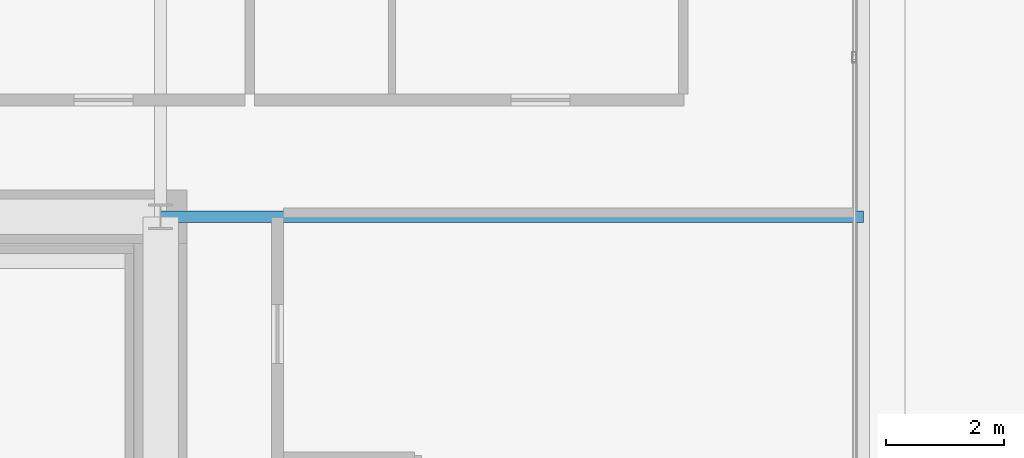
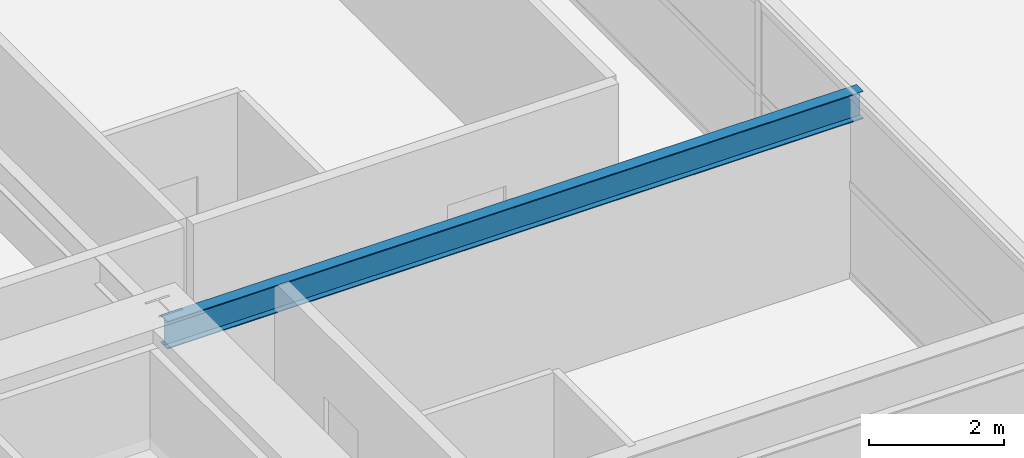
# One storey, part 20 of 45: 1 beam.
"""IFC4 building model written with IfcOpenShell, lengths in metres."""

from ifc_helpers import new_model, si_unit, direction, frame, origin, origin_2d, place, context, subcontext, project, spatial, i_section, extrude, source, transform, mapped, material, material_profile, profile_set, type_object, element, save


model = new_model("IFC4")

# Units and contexts
model_context = context("Model", 3, precision=1e-05, world=origin(), true_north=direction((0.0, 1.0)))
body_context = subcontext(model_context, "Body", "Model", "MODEL_VIEW")
ifc_project = project(units=[si_unit("LENGTHUNIT", "METRE"), si_unit("AREAUNIT", "SQUARE_METRE"), si_unit("VOLUMEUNIT", "CUBIC_METRE"), si_unit("PLANEANGLEUNIT", "RADIAN"), si_unit("MASSUNIT", "GRAM", prefix="KILO"), si_unit("THERMODYNAMICTEMPERATUREUNIT", "KELVIN"), si_unit("POWERUNIT", "WATT")], contexts=[model_context])

# Site, building, storey
site_placement = place(None, origin())
site = spatial("IfcSite", under=ifc_project, at=site_placement, CompositionType="ELEMENT")
building_placement = place(site_placement, origin())
building = spatial("IfcBuilding", under=site, at=building_placement, Name="Yuzanri Waterfront Tower", CompositionType="ELEMENT")
storey_placement = place(building_placement, frame((0.0, 0.0, 30.60009765625)))
storey = spatial("IfcBuildingStorey", under=building, at=storey_placement, Name="L07", CompositionType="ELEMENT", Elevation=30.60009765625)

# Beam
ifc_material = material(Name="Steel Q355B", Category="steel")
ifc_material_profile = material_profile(ifc_material, i_section(OverallWidth=0.199951171875, OverallDepth=0.5, WebThickness=0.010009765625, FlangeThickness=0.01611328125, at=origin_2d()), Name="HN 500x200x10x16")
ifc_profile_set = profile_set([ifc_material_profile], Name="Steel Q355B")
beam_type = type_object("IfcBeamType", Name="Secondary Floor Beam Q355B HN 500x200", PredefinedType="BEAM", material=ifc_profile_set)
shared_shape = source(origin(), body_context, "Body", "SweptSolid", [
    extrude(i_section(OverallWidth=0.199951171875, OverallDepth=0.5, WebThickness=0.010009765625, FlangeThickness=0.01611328125, at=origin_2d()), origin(), (0.0, 0.0, 1.0), 11.900146484375),
])
beam_placement = place(storey_placement, frame((50.199951171875, 32.199951171875, 3.1298828125), z_axis=(1.0, 0.0, 0.0), x_axis=(0.0, 1.0, 0.0)))
element("IfcBeam", 1, at=beam_placement, inside=storey, type_object=beam_type, Name="L07 East-North Core Line Beam", PredefinedType="BEAM", context=body_context, shape_type="MappedRepresentation", body=[
    mapped(shared_shape, transform((0.0, 0.0, 0.0), scale=1.0)),
])

save(model, "model.ifc")
